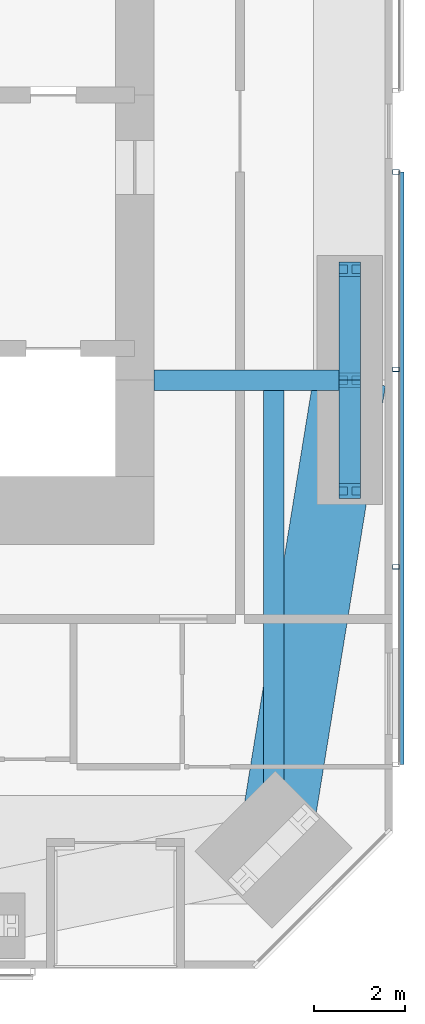
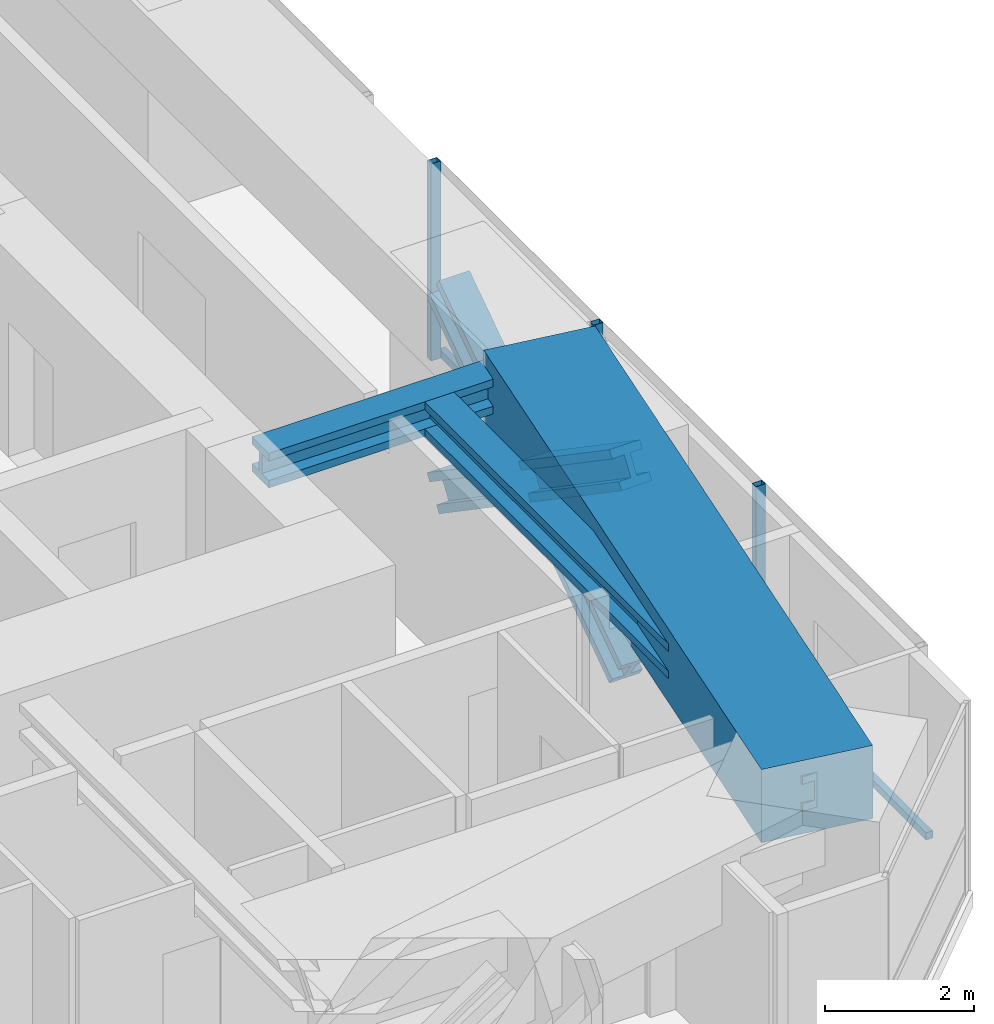
# One storey, part 9 of 24: 8 members, 3 beams, 1 element without a shape of its own.
"""IFC4 building model written with IfcOpenShell, lengths in metres."""

from ifc_helpers import new_model, si_unit, direction, frame, origin, origin_2d, place, context, subcontext, project, spatial, rectangle, hollow_rectangle, i_section, extrude, material, material_profile, profile_set, type_object, element, aggregate, save


model = new_model("IFC4")

# Units and contexts
model_context = context("Model", 3, precision=1e-05, world=origin(), true_north=direction((0.0, 1.0)))
body_context = subcontext(model_context, "Body", "Model", "MODEL_VIEW")
ifc_project = project(units=[si_unit("LENGTHUNIT", "METRE"), si_unit("AREAUNIT", "SQUARE_METRE"), si_unit("VOLUMEUNIT", "CUBIC_METRE"), si_unit("PLANEANGLEUNIT", "RADIAN"), si_unit("MASSUNIT", "GRAM", prefix="KILO")], contexts=[model_context])

# Site, building, storey
site_placement = place(None, origin())
site = spatial("IfcSite", under=ifc_project, at=site_placement, CompositionType="ELEMENT")
building_placement = place(site_placement, origin())
building = spatial("IfcBuilding", under=site, at=building_placement, Name="Jalousie Tower", CompositionType="ELEMENT")
storey_placement = place(building_placement, frame((0.0, 0.0, 135.0)))
storey = spatial("IfcBuildingStorey", under=building, at=storey_placement, Name="L37", CompositionType="ELEMENT", Elevation=135.0)

# Beams
ifc_material_1 = material(Name="Steel ASTM A992 Grade 50", Category="steel")
ifc_material_profile_1 = material_profile(ifc_material_1, i_section(OverallWidth=0.45458984375, OverallDepth=0.569091796875, WebThickness=0.077880859375, FlangeThickness=0.124755859375, at=origin_2d()), Name="W14X730")
ifc_profile_set_1 = profile_set([ifc_material_profile_1], Name="Steel ASTM A992 Grade 50")
beam_type_1 = type_object("IfcBeamType", Name="LEAN COLLECTOR W14X730", PredefinedType="BEAM", material=ifc_profile_set_1)
beam_1_placement = place(storey_placement, frame((48.550048828125, 13.0, 2.825439453125), z_axis=(-1.0, 0.0, 0.0), x_axis=(0.0, -1.0, 0.0)))
element("IfcBeam", 1, at=beam_1_placement, inside=storey, type_object=beam_type_1, Name="Lean collector under L38", PredefinedType="BEAM", context=body_context, shape_type="SweptSolid", body=[
    extrude(i_section(OverallWidth=0.45458984375, OverallDepth=0.569091796875, WebThickness=0.077880859375, FlangeThickness=0.124755859375, at=origin_2d()), origin(), (0.0, 0.0, 1.0), 4.324951171875),
])
beam_2_placement = place(storey_placement, frame((46.86865234375, 2.63134765625, 2.825439453125), z_axis=(0.0, 1.0, 0.0), x_axis=(-1.0, 0.0, 0.0)))
element("IfcBeam", 2, at=beam_2_placement, inside=storey, type_object=beam_type_1, Name="Lean collector under L38", PredefinedType="BEAM", context=body_context, shape_type="SweptSolid", body=[
    extrude(i_section(OverallWidth=0.45458984375, OverallDepth=0.569091796875, WebThickness=0.077880859375, FlangeThickness=0.124755859375, at=origin_2d()), origin(), (0.0, 0.0, 1.0), 10.36865234375),
])

# Members
ifc_material_2 = material(Name="Steel ASTM A992 Grade 50", Category="steel")
ifc_material_profile_2 = material_profile(ifc_material_2, i_section(OverallWidth=0.472412109375, OverallDepth=0.5791015625, WebThickness=0.094970703125, FlangeThickness=0.1298828125, at=origin_2d()), Name="W14X808")
ifc_profile_set_2 = profile_set([ifc_material_profile_2], Name="Steel ASTM A992 Grade 50")
member_type_1 = type_object("IfcMemberType", Name="PERIMETER BRACE W14X808", PredefinedType="BRACE", material=ifc_profile_set_2)
for number, where, z_axis, x_axis, name in (
    (3, (48.550048828125, 10.550048828125, -0.60009765625), (0.0, 0.825500916831, 0.564400776321), (-1.0, 0.0, 0.0), "Perimeter brace 06 L37 part 1"),
    (4, (48.550048828125, 13.0, 1.074951171875), (0.0, 0.825500916831, 0.564400776321), (-1.0, 0.0, 0.0), "Perimeter brace 06 L37 part 2"),
    (5, (48.550048828125, 15.449951171875, -0.60009765625), (0.0, -0.825500916831, 0.564400776321), (1.0, 0.0, 0.0), "Perimeter brace 06 L37 part 3"),
    (6, (48.550048828125, 13.0, 1.074951171875), (0.0, -0.825500916831, 0.564400776321), (1.0, 0.0, 0.0), "Perimeter brace 06 L37 part 4"),
):
    element("IfcMember", number, at=place(storey_placement, frame(where, z_axis=z_axis, x_axis=x_axis)), inside=storey, type_object=member_type_1, Name=name, PredefinedType="BRACE", context=body_context, shape_type="SweptSolid", body=[
        extrude(i_section(OverallWidth=0.472412109375, OverallDepth=0.5791015625, WebThickness=0.094970703125, FlangeThickness=0.1298828125, at=origin_2d()), origin(), (0.0, 0.0, 1.0), 2.9677734375),
    ])

# Beam
ifc_material_3 = material(Name="Concrete f'c 40 MPa", Category="concrete")
ifc_material_profile_3 = material_profile(ifc_material_3, rectangle(XDim=1.60009765625, YDim=1.199951171875, at=origin_2d()), Name="RC 1600x1200")
ifc_profile_set_3 = profile_set([ifc_material_profile_3], Name="Concrete f'c 40 MPa")
beam_type_2 = type_object("IfcBeamType", Name="RC BEAM 1600x1200", PredefinedType="BEAM", material=ifc_profile_set_3)
beam_3_placement = place(storey_placement, frame((46.86865234375, 2.63134765625, 2.75), z_axis=(0.160070546476, 0.987105577003, 0.0), x_axis=(-0.987105577003, 0.160070546476, 0.0)))
element("IfcBeam", 7, at=beam_3_placement, inside=storey, type_object=beam_type_2, Name="Edge band beam 05-06 under L38", PredefinedType="BEAM", context=body_context, shape_type="SweptSolid", body=[
    extrude(rectangle(XDim=1.60009765625, YDim=1.199951171875, at=origin_2d()), origin(), (0.0, 0.0, 1.0), 10.504150390625),
])

# Curtain wall, members
ifc_material_4 = material(Name="Perforated aluminium sheet", Category="aluminium")
curtain_wall_type = type_object("IfcCurtainWallType", Name="SOLAR SCREEN SS-1", PredefinedType="USERDEFINED", material=ifc_material_4)
curtain_wall_placement = place(storey_placement, origin())
curtain_wall = element("IfcCurtainWall", 8, at=curtain_wall_placement, inside=storey, type_object=curtain_wall_type, Name="Solar screen L37", ObjectType="SOLAR SCREEN SS-1", PredefinedType="USERDEFINED")
ifc_material_5 = material(Name="Steel ASTM A500 Grade C", Category="steel")
ifc_material_profile_4 = material_profile(ifc_material_5, hollow_rectangle(XDim=0.1015625, YDim=0.15234375, WallThickness=0.00634765625, at=origin_2d()), Name="HSS6X4X1/4")
ifc_profile_set_4 = profile_set([ifc_material_profile_4], Name="Steel ASTM A500 Grade C")
member_type_2 = type_object("IfcMemberType", Name="SOLAR SCREEN SS-1 MULLION", PredefinedType="MULLION", material=ifc_profile_set_4)
member_1_placement = place(storey_placement, frame((49.5712890625, 8.8759765625, -0.1201171875), z_axis=(0.0, 0.0, 1.0), x_axis=(0.0, 1.0, 0.0)))
member_1 = element("IfcMember", 9, at=member_1_placement, type_object=member_type_2, Name="SS1 post 2", PredefinedType="MULLION", context=body_context, shape_type="SweptSolid", body=[
    extrude(hollow_rectangle(XDim=0.1015625, YDim=0.15234375, WallThickness=0.00634765625, at=origin_2d()), origin(), (0.0, 0.0, 1.0), 3.230224609375),
])
member_2_placement = place(storey_placement, frame((49.5712890625, 13.23779296875, -0.1201171875), z_axis=(0.0, 0.0, 1.0), x_axis=(0.0, 1.0, 0.0)))
member_2 = element("IfcMember", 10, at=member_2_placement, type_object=member_type_2, Name="SS1 post 3", PredefinedType="MULLION", context=body_context, shape_type="SweptSolid", body=[
    extrude(hollow_rectangle(XDim=0.1015625, YDim=0.15234375, WallThickness=0.00634765625, at=origin_2d()), origin(), (0.0, 0.0, 1.0), 3.230224609375),
])
member_3_placement = place(storey_placement, frame((49.5712890625, 17.60009765625, -0.1201171875), z_axis=(0.0, 0.0, 1.0), x_axis=(0.0, 1.0, 0.0)))
member_3 = element("IfcMember", 11, at=member_3_placement, type_object=member_type_2, Name="SS1 post 4", PredefinedType="MULLION", context=body_context, shape_type="SweptSolid", body=[
    extrude(hollow_rectangle(XDim=0.1015625, YDim=0.15234375, WallThickness=0.00634765625, at=origin_2d()), origin(), (0.0, 0.0, 1.0), 3.230224609375),
])
ifc_material_6 = material(Name="Extruded aluminium screen rail", Category="aluminium")
ifc_material_profile_5 = material_profile(ifc_material_6, rectangle(XDim=0.1015625, YDim=0.1201171875, at=origin_2d()), Name="RAIL 102x120")
ifc_profile_set_5 = profile_set([ifc_material_profile_5], Name="Extruded aluminium screen rail")
member_type_3 = type_object("IfcMemberType", Name="SOLAR SCREEN SS-1 TRANSOM", PredefinedType="USERDEFINED", material=ifc_profile_set_5)
member_4_placement = place(storey_placement, frame((49.6982421875, 4.513916015625, -0.06005859375), z_axis=(0.0, 1.0, 0.0), x_axis=(-1.0, 0.0, 0.0)))
member_4 = element("IfcMember", 12, at=member_4_placement, type_object=member_type_3, Name="SS1 rail", ObjectType="TRANSOM", PredefinedType="USERDEFINED", context=body_context, shape_type="SweptSolid", body=[
    extrude(rectangle(XDim=0.1015625, YDim=0.1201171875, at=origin_2d()), origin(), (0.0, 0.0, 1.0), 13.086181640625),
])
aggregate(curtain_wall, [member_1, member_2, member_3, member_4])

save(model, "model.ifc")
